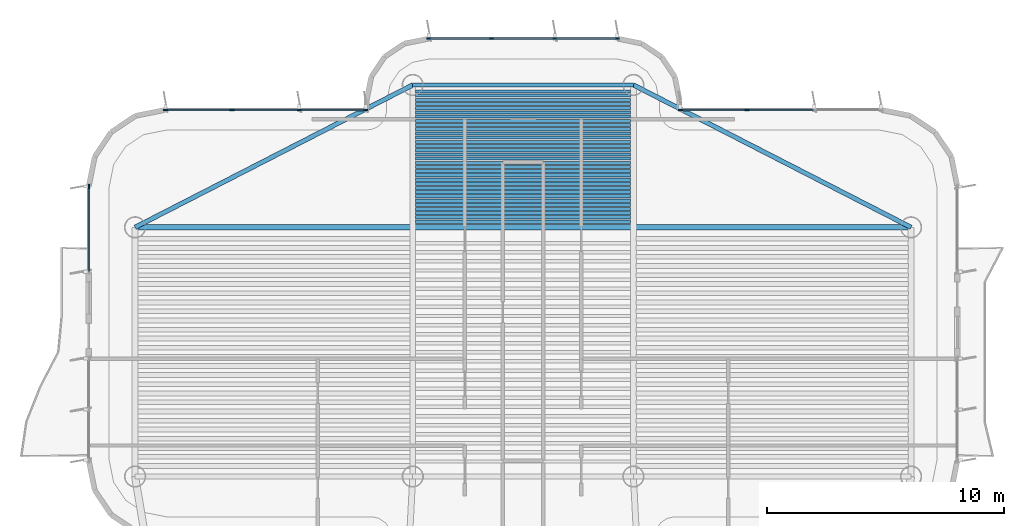
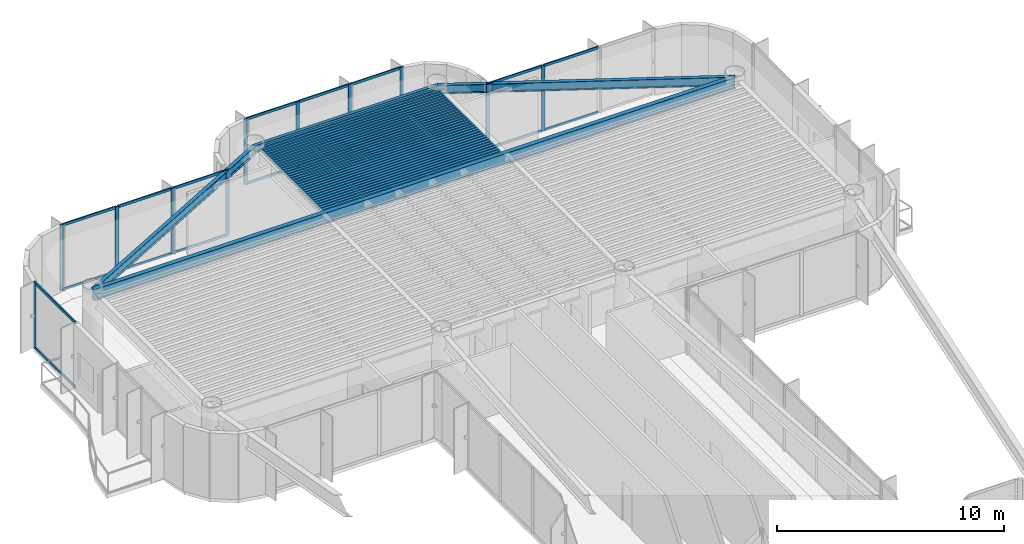
# One storey, part 7 of 15: 36 beams, 29 members, 4 elements without a shape of their own.
"""IFC4 building model written with IfcOpenShell, lengths in metres."""

from ifc_helpers import new_model, si_unit, direction, frame, origin, origin_2d, place, context, subcontext, project, spatial, rectangle, i_section, extrude, source, transform, mapped, material, layer, layer_set, material_profile, profile_set, type_object, element, aggregate, save


model = new_model("IFC4")

# Units and contexts
model_context = context("Model", 3, precision=1e-05, world=origin(), true_north=direction((0.0, 1.0)))
body_context = subcontext(model_context, "Body", "Model", "MODEL_VIEW")
ifc_project = project(units=[si_unit("LENGTHUNIT", "METRE"), si_unit("AREAUNIT", "SQUARE_METRE"), si_unit("VOLUMEUNIT", "CUBIC_METRE"), si_unit("PLANEANGLEUNIT", "RADIAN"), si_unit("MASSUNIT", "GRAM", prefix="KILO")], contexts=[model_context])

# Site, building, storey
site_placement = place(None, origin())
site = spatial("IfcSite", under=ifc_project, at=site_placement, CompositionType="ELEMENT")
building_placement = place(site_placement, origin())
building = spatial("IfcBuilding", under=site, at=building_placement, Name="Brelvock Crest Care Tower", CompositionType="ELEMENT")
storey_placement = place(building_placement, frame((0.0, 0.0, 241.919921875)))
storey = spatial("IfcBuildingStorey", under=building, at=storey_placement, Name="L61", CompositionType="ELEMENT", Elevation=241.919921875)

# Beams
ifc_material_1 = material(Name="Steel Grade 350", Category="steel")
ifc_material_profile_1 = material_profile(ifc_material_1, i_section(OverallWidth=0.177978515625, OverallDepth=0.406005859375, WebThickness=0.0078125, FlangeThickness=0.0126953125, FilletRadius=0.011474609375, at=origin_2d()), Name="410UB59.7")
ifc_profile_set_1 = profile_set([ifc_material_profile_1], Name="Steel Grade 350")
beam_type_1 = type_object("IfcBeamType", Name="BM-SP1", PredefinedType="SPANDREL", material=ifc_profile_set_1)
shared_shape_1 = source(origin(), body_context, "Body", "SweptSolid", [
    extrude(i_section(OverallWidth=0.177978515625, OverallDepth=0.406005859375, WebThickness=0.0078125, FlangeThickness=0.0126953125, FilletRadius=0.011474609375, at=origin_2d()), origin(), (0.0, 0.0, 1.0), 9.2998046875),
])
beam_1_placement = place(storey_placement, frame((31.35009765625, 60.449951171875, 3.3271484375), z_axis=(1.0, 0.0, 0.0), x_axis=(0.0, 1.0, 0.0)))
element("IfcBeam", 1, at=beam_1_placement, inside=storey, type_object=beam_type_1, Name="BM-TWR-L61-08", PredefinedType="SPANDREL", context=body_context, shape_type="MappedRepresentation", body=[
    mapped(shared_shape_1, transform((0.0, 0.0, 0.0), x_axis=(1.0, 0.0, 0.0), y_axis=(0.0, 1.0, 0.0), z_axis=(0.0, 0.0, 1.0), scale=1.0)),
])
ifc_material_profile_2 = material_profile(ifc_material_1, i_section(OverallWidth=0.14599609375, OverallDepth=0.256103515625, WebThickness=0.00634765625, FlangeThickness=0.010986328125, FilletRadius=0.0087890625, at=origin_2d()), Name="250UB37.3")
ifc_profile_set_2 = profile_set([ifc_material_profile_2], Name="Steel Grade 350")
beam_type_2 = type_object("IfcBeamType", Name="BM-J3", PredefinedType="JOIST", material=ifc_profile_set_2)
shared_shape_2 = source(origin(), body_context, "Body", "SweptSolid", [
    extrude(i_section(OverallWidth=0.14599609375, OverallDepth=0.256103515625, WebThickness=0.00634765625, FlangeThickness=0.010986328125, FilletRadius=0.0087890625, at=origin_2d()), origin(), (0.0, 0.0, 1.0), 9.06982421875),
])
for number, where, z_axis, x_axis, name in (
    (2, (31.465087890625, 54.68994140625, 3.402099609375), (1.0, 0.0, 0.0), (0.0, 1.0, 0.0), "BM-JN-L61-1"),
    (3, (31.465087890625, 54.866943359375, 3.402099609375), (1.0, 0.0, 0.0), (0.0, 1.0, 0.0), "BM-JN-L61-2"),
    (4, (31.465087890625, 55.0439453125, 3.402099609375), (1.0, 0.0, 0.0), (0.0, 1.0, 0.0), "BM-JN-L61-3"),
    (5, (31.465087890625, 55.220947265625, 3.402099609375), (1.0, 0.0, 0.0), (0.0, 1.0, 0.0), "BM-JN-L61-4"),
    (6, (31.465087890625, 55.39794921875, 3.402099609375), (1.0, 0.0, 0.0), (0.0, 1.0, 0.0), "BM-JN-L61-5"),
    (7, (31.465087890625, 55.574951171875, 3.402099609375), (1.0, 0.0, 0.0), (0.0, 1.0, 0.0), "BM-JN-L61-6"),
    (8, (31.465087890625, 55.751953125, 3.402099609375), (1.0, 0.0, 0.0), (0.0, 1.0, 0.0), "BM-JN-L61-7"),
    (9, (31.465087890625, 55.928955078125, 3.402099609375), (1.0, 0.0, 0.0), (0.0, 1.0, 0.0), "BM-JN-L61-8"),
    (10, (31.465087890625, 56.10595703125, 3.402099609375), (1.0, 0.0, 0.0), (0.0, 1.0, 0.0), "BM-JN-L61-9"),
    (11, (31.465087890625, 56.282958984375, 3.402099609375), (1.0, 0.0, 0.0), (0.0, 1.0, 0.0), "BM-JN-L61-10"),
    (12, (31.465087890625, 56.4599609375, 3.402099609375), (1.0, 0.0, 0.0), (0.0, 1.0, 0.0), "BM-JN-L61-11"),
    (13, (31.465087890625, 56.636962890625, 3.402099609375), (1.0, 0.0, 0.0), (0.0, 1.0, 0.0), "BM-JN-L61-12"),
    (14, (31.465087890625, 56.81396484375, 3.402099609375), (1.0, 0.0, 0.0), (0.0, 1.0, 0.0), "BM-JN-L61-13"),
):
    element("IfcBeam", number, at=place(storey_placement, frame(where, z_axis=z_axis, x_axis=x_axis)), inside=storey, type_object=beam_type_2, Name=name, PredefinedType="JOIST", context=body_context, shape_type="MappedRepresentation", body=[
        mapped(shared_shape_2, transform((0.0, 0.0, 0.0), x_axis=(1.0, 0.0, 0.0), y_axis=(0.0, 1.0, 0.0), z_axis=(0.0, 0.0, 1.0), scale=1.0)),
    ])
ifc_material_profile_3 = material_profile(ifc_material_1, i_section(OverallWidth=0.134033203125, OverallDepth=0.20703125, WebThickness=0.00634765625, FlangeThickness=0.009521484375, FilletRadius=0.0087890625, at=origin_2d()), Name="200UB29.8")
ifc_profile_set_3 = profile_set([ifc_material_profile_3], Name="Steel Grade 350")
beam_type_3 = type_object("IfcBeamType", Name="BM-J4", PredefinedType="JOIST", material=ifc_profile_set_3)
shared_shape_3 = source(origin(), body_context, "Body", "SweptSolid", [
    extrude(i_section(OverallWidth=0.134033203125, OverallDepth=0.20703125, WebThickness=0.00634765625, FlangeThickness=0.009521484375, FilletRadius=0.0087890625, at=origin_2d()), origin(), (0.0, 0.0, 1.0), 9.06982421875),
])
for number, where, z_axis, x_axis, name in (
    (15, (31.465087890625, 56.990966796875, 3.426513671875), (1.0, 0.0, 0.0), (0.0, 1.0, 0.0), "BM-JN-L61-14"),
    (16, (31.465087890625, 57.16796875, 3.426513671875), (1.0, 0.0, 0.0), (0.0, 1.0, 0.0), "BM-JN-L61-15"),
    (17, (31.465087890625, 57.344970703125, 3.426513671875), (1.0, 0.0, 0.0), (0.0, 1.0, 0.0), "BM-JN-L61-16"),
    (18, (31.465087890625, 57.52197265625, 3.426513671875), (1.0, 0.0, 0.0), (0.0, 1.0, 0.0), "BM-JN-L61-17"),
    (19, (31.465087890625, 57.698974609375, 3.426513671875), (1.0, 0.0, 0.0), (0.0, 1.0, 0.0), "BM-JN-L61-18"),
    (20, (31.465087890625, 57.8759765625, 3.426513671875), (1.0, 0.0, 0.0), (0.0, 1.0, 0.0), "BM-JN-L61-19"),
    (21, (31.465087890625, 58.052978515625, 3.426513671875), (1.0, 0.0, 0.0), (0.0, 1.0, 0.0), "BM-JN-L61-20"),
    (22, (31.465087890625, 58.22998046875, 3.426513671875), (1.0, 0.0, 0.0), (0.0, 1.0, 0.0), "BM-JN-L61-21"),
    (23, (31.465087890625, 58.406982421875, 3.426513671875), (1.0, 0.0, 0.0), (0.0, 1.0, 0.0), "BM-JN-L61-22"),
    (24, (31.465087890625, 58.583984375, 3.426513671875), (1.0, 0.0, 0.0), (0.0, 1.0, 0.0), "BM-JN-L61-23"),
    (25, (31.465087890625, 58.760986328125, 3.426513671875), (1.0, 0.0, 0.0), (0.0, 1.0, 0.0), "BM-JN-L61-24"),
    (26, (31.465087890625, 58.93798828125, 3.426513671875), (1.0, 0.0, 0.0), (0.0, 1.0, 0.0), "BM-JN-L61-25"),
    (27, (31.465087890625, 59.114990234375, 3.426513671875), (1.0, 0.0, 0.0), (0.0, 1.0, 0.0), "BM-JN-L61-26"),
    (28, (31.465087890625, 59.2919921875, 3.426513671875), (1.0, 0.0, 0.0), (0.0, 1.0, 0.0), "BM-JN-L61-27"),
    (29, (31.465087890625, 59.468994140625, 3.426513671875), (1.0, 0.0, 0.0), (0.0, 1.0, 0.0), "BM-JN-L61-28"),
    (30, (31.465087890625, 59.64599609375, 3.426513671875), (1.0, 0.0, 0.0), (0.0, 1.0, 0.0), "BM-JN-L61-29"),
    (31, (31.465087890625, 59.822998046875, 3.426513671875), (1.0, 0.0, 0.0), (0.0, 1.0, 0.0), "BM-JN-L61-30"),
    (32, (31.465087890625, 60.0, 3.426513671875), (1.0, 0.0, 0.0), (0.0, 1.0, 0.0), "BM-JN-L61-31"),
    (33, (31.465087890625, 60.177001953125, 3.426513671875), (1.0, 0.0, 0.0), (0.0, 1.0, 0.0), "BM-JN-L61-32"),
):
    element("IfcBeam", number, at=place(storey_placement, frame(where, z_axis=z_axis, x_axis=x_axis)), inside=storey, type_object=beam_type_3, Name=name, PredefinedType="JOIST", context=body_context, shape_type="MappedRepresentation", body=[
        mapped(shared_shape_3, transform((0.0, 0.0, 0.0), x_axis=(1.0, 0.0, 0.0), y_axis=(0.0, 1.0, 0.0), z_axis=(0.0, 0.0, 1.0), scale=1.0)),
    ])
ifc_material_profile_4 = material_profile(ifc_material_1, i_section(OverallWidth=0.19091796875, OverallDepth=0.4599609375, WebThickness=0.010009765625, FlangeThickness=0.01611328125, FilletRadius=0.011474609375, at=origin_2d()), Name="460UB82.1")
ifc_profile_set_4 = profile_set([ifc_material_profile_4], Name="Steel Grade 350")
beam_type_4 = type_object("IfcBeamType", Name="BM-SP2", PredefinedType="SPANDREL", material=ifc_profile_set_4)
shared_shape_4 = source(origin(), body_context, "Body", "SweptSolid", [
    extrude(i_section(OverallWidth=0.19091796875, OverallDepth=0.4599609375, WebThickness=0.010009765625, FlangeThickness=0.01611328125, FilletRadius=0.011474609375, at=origin_2d()), origin(), (0.0, 0.0, 1.0), 13.14892578125),
])
for number, where, z_axis, x_axis, name in (
    (34, (19.64990234375, 54.449951171875, 3.300048828125), (0.889820555736, 0.456310616346, 0.0), (-0.456310616346, 0.889820555736, 0.0), "BM-TWR-L61-06"),
    (35, (40.64990234375, 60.449951171875, 3.300048828125), (0.889820555736, -0.456310616346, 0.0), (0.456310616346, 0.889820555736, 0.0), "BM-TWR-L61-07"),
):
    element("IfcBeam", number, at=place(storey_placement, frame(where, z_axis=z_axis, x_axis=x_axis)), inside=storey, type_object=beam_type_4, Name=name, PredefinedType="SPANDREL", context=body_context, shape_type="MappedRepresentation", body=[
        mapped(shared_shape_4, transform((0.0, 0.0, 0.0), x_axis=(1.0, 0.0, 0.0), y_axis=(0.0, 1.0, 0.0), z_axis=(0.0, 0.0, 1.0), scale=1.0)),
    ])
ifc_material_profile_5 = material_profile(ifc_material_1, i_section(OverallWidth=0.22900390625, OverallDepth=0.612060546875, WebThickness=0.011962890625, FlangeThickness=0.01953125, FilletRadius=0.013916015625, at=origin_2d()), Name="610UB125")
ifc_profile_set_5 = profile_set([ifc_material_profile_5], Name="Steel Grade 350")
beam_type_5 = type_object("IfcBeamType", Name="BM-G1", PredefinedType="BEAM", material=ifc_profile_set_5)
shared_shape_5 = source(origin(), body_context, "Body", "SweptSolid", [
    extrude(i_section(OverallWidth=0.22900390625, OverallDepth=0.612060546875, WebThickness=0.011962890625, FlangeThickness=0.01953125, FilletRadius=0.013916015625, at=origin_2d()), origin(), (0.0, 0.0, 1.0), 32.7001953125),
])
beam_2_placement = place(storey_placement, frame((19.64990234375, 54.449951171875, 3.22412109375), z_axis=(1.0, 0.0, 0.0), x_axis=(0.0, 1.0, 0.0)))
element("IfcBeam", 36, at=beam_2_placement, inside=storey, type_object=beam_type_5, Name="BM-TWR-L61-11", PredefinedType="BEAM", context=body_context, shape_type="MappedRepresentation", body=[
    mapped(shared_shape_5, transform((0.0, 0.0, 0.0), x_axis=(1.0, 0.0, 0.0), y_axis=(0.0, 1.0, 0.0), z_axis=(0.0, 0.0, 1.0), scale=1.0)),
])

# Curtain wall, member
ifc_material_2 = material(Name="Dark Glass Double Glazed Low-E", Category="glass")
ifc_layer = layer(ifc_material_2, 0.239990234375, Name="CWS-5")
ifc_layer_set = layer_set([ifc_layer], Name="Dark Glass Double Glazed Low-E")
curtain_wall_type = type_object("IfcCurtainWallType", Name="CWS-5", PredefinedType="NOTDEFINED", material=ifc_layer_set)
curtain_wall_1_placement = place(storey_placement, origin())
curtain_wall_1 = element("IfcCurtainWall", 37, at=curtain_wall_1_placement, inside=storey, type_object=curtain_wall_type, Name="L61 Curtain Wall E17B", PredefinedType="NOTDEFINED")
ifc_material_3 = material(Name="Aluminium 6063-T6", Category="aluminium")
ifc_material_profile_6 = material_profile(ifc_material_3, rectangle(XDim=0.06005859375, YDim=0.179931640625, at=origin_2d()), Name="ALU60x180")
ifc_profile_set_6 = profile_set([ifc_material_profile_6], Name="Aluminium 6063-T6")
member_type_1 = type_object("IfcMemberType", Name="CWM-2", PredefinedType="MULLION", material=ifc_profile_set_6)
shared_shape_6 = source(origin(), body_context, "Body", "SweptSolid", [
    extrude(rectangle(XDim=0.06005859375, YDim=0.179931640625, at=origin_2d()), origin(), (0.0, 0.0, 1.0), 3.530029296875),
])
member_1_placement = place(storey_placement, frame((17.699951171875, 56.169921875, 0.0), z_axis=(0.0, 0.0, 1.0), x_axis=(-1.0, 0.0, 0.0)))
member_1 = element("IfcMember", 38, at=member_1_placement, type_object=member_type_1, Name="CW-5 mullion 2", PredefinedType="MULLION", context=body_context, shape_type="MappedRepresentation", body=[
    mapped(shared_shape_6, transform((0.0, 0.0, 0.0), x_axis=(1.0, 0.0, 0.0), y_axis=(0.0, 1.0, 0.0), z_axis=(0.0, 0.0, 1.0), scale=1.0)),
])

# Curtain wall, members
curtain_wall_2_placement = place(storey_placement, origin())
curtain_wall_2 = element("IfcCurtainWall", 39, at=curtain_wall_2_placement, inside=storey, type_object=curtain_wall_type, Name="L61 Curtain Wall E22", PredefinedType="NOTDEFINED")
member_2_placement = place(storey_placement, frame((20.929931640625, 59.39990234375, 0.0), z_axis=(0.0, 0.0, 1.0), x_axis=(0.0, 1.0, 0.0)))
member_2 = element("IfcMember", 40, at=member_2_placement, type_object=member_type_1, Name="CW-5 mullion 1", PredefinedType="MULLION", context=body_context, shape_type="MappedRepresentation", body=[
    mapped(shared_shape_6, transform((0.0, 0.0, 0.0), x_axis=(1.0, 0.0, 0.0), y_axis=(0.0, 1.0, 0.0), z_axis=(0.0, 0.0, 1.0), scale=1.0)),
])
member_3_placement = place(storey_placement, frame((23.7333984375, 59.39990234375, 0.0), z_axis=(0.0, 0.0, 1.0), x_axis=(0.0, 1.0, 0.0)))
member_3 = element("IfcMember", 41, at=member_3_placement, type_object=member_type_1, Name="CW-5 mullion 2", PredefinedType="MULLION", context=body_context, shape_type="MappedRepresentation", body=[
    mapped(shared_shape_6, transform((0.0, 0.0, 0.0), x_axis=(1.0, 0.0, 0.0), y_axis=(0.0, 1.0, 0.0), z_axis=(0.0, 0.0, 1.0), scale=1.0)),
])
member_4_placement = place(storey_placement, frame((26.566650390625, 59.39990234375, 0.0), z_axis=(0.0, 0.0, 1.0), x_axis=(0.0, 1.0, 0.0)))
member_4 = element("IfcMember", 42, at=member_4_placement, type_object=member_type_1, Name="CW-5 mullion 3", PredefinedType="MULLION", context=body_context, shape_type="MappedRepresentation", body=[
    mapped(shared_shape_6, transform((0.0, 0.0, 0.0), x_axis=(1.0, 0.0, 0.0), y_axis=(0.0, 1.0, 0.0), z_axis=(0.0, 0.0, 1.0), scale=1.0)),
])
member_5_placement = place(storey_placement, frame((29.3701171875, 59.39990234375, 0.0), z_axis=(0.0, 0.0, 1.0), x_axis=(0.0, 1.0, 0.0)))
member_5 = element("IfcMember", 43, at=member_5_placement, type_object=member_type_1, Name="CW-5 mullion 4", PredefinedType="MULLION", context=body_context, shape_type="MappedRepresentation", body=[
    mapped(shared_shape_6, transform((0.0, 0.0, 0.0), x_axis=(1.0, 0.0, 0.0), y_axis=(0.0, 1.0, 0.0), z_axis=(0.0, 0.0, 1.0), scale=1.0)),
])

curtain_wall_3_placement = place(storey_placement, origin())
curtain_wall_3 = element("IfcCurtainWall", 44, at=curtain_wall_3_placement, inside=storey, type_object=curtain_wall_type, Name="L61 Curtain Wall E28", PredefinedType="NOTDEFINED")
member_6_placement = place(storey_placement, frame((32.030029296875, 62.39990234375, 0.0), z_axis=(0.0, 0.0, 1.0), x_axis=(0.0, 1.0, 0.0)))
member_6 = element("IfcMember", 45, at=member_6_placement, type_object=member_type_1, Name="CW-5 mullion 1", PredefinedType="MULLION", context=body_context, shape_type="MappedRepresentation", body=[
    mapped(shared_shape_6, transform((0.0, 0.0, 0.0), x_axis=(1.0, 0.0, 0.0), y_axis=(0.0, 1.0, 0.0), z_axis=(0.0, 0.0, 1.0), scale=1.0)),
])
member_7_placement = place(storey_placement, frame((34.666748046875, 62.39990234375, 0.0), z_axis=(0.0, 0.0, 1.0), x_axis=(0.0, 1.0, 0.0)))
member_7 = element("IfcMember", 46, at=member_7_placement, type_object=member_type_1, Name="CW-5 mullion 2", PredefinedType="MULLION", context=body_context, shape_type="MappedRepresentation", body=[
    mapped(shared_shape_6, transform((0.0, 0.0, 0.0), x_axis=(1.0, 0.0, 0.0), y_axis=(0.0, 1.0, 0.0), z_axis=(0.0, 0.0, 1.0), scale=1.0)),
])
member_8_placement = place(storey_placement, frame((37.333251953125, 62.39990234375, 0.0), z_axis=(0.0, 0.0, 1.0), x_axis=(0.0, 1.0, 0.0)))
member_8 = element("IfcMember", 47, at=member_8_placement, type_object=member_type_1, Name="CW-5 mullion 3", PredefinedType="MULLION", context=body_context, shape_type="MappedRepresentation", body=[
    mapped(shared_shape_6, transform((0.0, 0.0, 0.0), x_axis=(1.0, 0.0, 0.0), y_axis=(0.0, 1.0, 0.0), z_axis=(0.0, 0.0, 1.0), scale=1.0)),
])
member_9_placement = place(storey_placement, frame((39.969970703125, 62.39990234375, 0.0), z_axis=(0.0, 0.0, 1.0), x_axis=(0.0, 1.0, 0.0)))
member_9 = element("IfcMember", 48, at=member_9_placement, type_object=member_type_1, Name="CW-5 mullion 4", PredefinedType="MULLION", context=body_context, shape_type="MappedRepresentation", body=[
    mapped(shared_shape_6, transform((0.0, 0.0, 0.0), x_axis=(1.0, 0.0, 0.0), y_axis=(0.0, 1.0, 0.0), z_axis=(0.0, 0.0, 1.0), scale=1.0)),
])

curtain_wall_4_placement = place(storey_placement, origin())
curtain_wall_4 = element("IfcCurtainWall", 49, at=curtain_wall_4_placement, inside=storey, type_object=curtain_wall_type, Name="L61 Curtain Wall E34", PredefinedType="NOTDEFINED")
member_10_placement = place(storey_placement, frame((42.6298828125, 59.39990234375, 0.0), z_axis=(0.0, 0.0, 1.0), x_axis=(0.0, 1.0, 0.0)))
member_10 = element("IfcMember", 50, at=member_10_placement, type_object=member_type_1, Name="CW-5 mullion 1", PredefinedType="MULLION", context=body_context, shape_type="MappedRepresentation", body=[
    mapped(shared_shape_6, transform((0.0, 0.0, 0.0), x_axis=(1.0, 0.0, 0.0), y_axis=(0.0, 1.0, 0.0), z_axis=(0.0, 0.0, 1.0), scale=1.0)),
])
member_11_placement = place(storey_placement, frame((45.433349609375, 59.39990234375, 0.0), z_axis=(0.0, 0.0, 1.0), x_axis=(0.0, 1.0, 0.0)))
member_11 = element("IfcMember", 51, at=member_11_placement, type_object=member_type_1, Name="CW-5 mullion 2", PredefinedType="MULLION", context=body_context, shape_type="MappedRepresentation", body=[
    mapped(shared_shape_6, transform((0.0, 0.0, 0.0), x_axis=(1.0, 0.0, 0.0), y_axis=(0.0, 1.0, 0.0), z_axis=(0.0, 0.0, 1.0), scale=1.0)),
])

# Member
ifc_material_profile_7 = material_profile(ifc_material_3, rectangle(XDim=0.06005859375, YDim=0.139892578125, at=origin_2d()), Name="ALU60x140")
ifc_profile_set_7 = profile_set([ifc_material_profile_7], Name="Aluminium 6063-T6")
member_type_2 = type_object("IfcMemberType", Name="CWT-2", PredefinedType="USERDEFINED", material=ifc_profile_set_7)
shared_shape_7 = source(origin(), body_context, "Body", "SweptSolid", [
    extrude(rectangle(XDim=0.06005859375, YDim=0.139892578125, at=origin_2d()), origin(), (0.0, 0.0, 1.0), 2.57666015625),
])
member_12_placement = place(storey_placement, frame((32.06005859375, 62.39990234375, 0.030029296875), z_axis=(1.0, 0.0, 0.0), x_axis=(0.0, 1.0, 0.0)))
member_12 = element("IfcMember", 52, at=member_12_placement, type_object=member_type_2, Name="CW-5 transom 1.1", ObjectType="TRANSOM", PredefinedType="USERDEFINED", context=body_context, shape_type="MappedRepresentation", body=[
    mapped(shared_shape_7, transform((0.0, 0.0, 0.0), x_axis=(1.0, 0.0, 0.0), y_axis=(0.0, 1.0, 0.0), z_axis=(0.0, 0.0, 1.0), scale=1.0)),
])

member_13_placement = place(storey_placement, frame((32.06005859375, 62.39990234375, 3.5), z_axis=(1.0, 0.0, 0.0), x_axis=(0.0, 1.0, 0.0)))
member_13 = element("IfcMember", 53, at=member_13_placement, type_object=member_type_2, Name="CW-5 transom 1.2", ObjectType="TRANSOM", PredefinedType="USERDEFINED", context=body_context, shape_type="MappedRepresentation", body=[
    mapped(shared_shape_7, transform((0.0, 0.0, 0.0), x_axis=(1.0, 0.0, 0.0), y_axis=(0.0, 1.0, 0.0), z_axis=(0.0, 0.0, 1.0), scale=1.0)),
])

member_14_placement = place(storey_placement, frame((37.36328125, 62.39990234375, 0.030029296875), z_axis=(1.0, 0.0, 0.0), x_axis=(0.0, 1.0, 0.0)))
member_14 = element("IfcMember", 54, at=member_14_placement, type_object=member_type_2, Name="CW-5 transom 3.1", ObjectType="TRANSOM", PredefinedType="USERDEFINED", context=body_context, shape_type="MappedRepresentation", body=[
    mapped(shared_shape_7, transform((0.0, 0.0, 0.0), x_axis=(1.0, 0.0, 0.0), y_axis=(0.0, 1.0, 0.0), z_axis=(0.0, 0.0, 1.0), scale=1.0)),
])

member_15_placement = place(storey_placement, frame((37.36328125, 62.39990234375, 3.5), z_axis=(1.0, 0.0, 0.0), x_axis=(0.0, 1.0, 0.0)))
member_15 = element("IfcMember", 55, at=member_15_placement, type_object=member_type_2, Name="CW-5 transom 3.2", ObjectType="TRANSOM", PredefinedType="USERDEFINED", context=body_context, shape_type="MappedRepresentation", body=[
    mapped(shared_shape_7, transform((0.0, 0.0, 0.0), x_axis=(1.0, 0.0, 0.0), y_axis=(0.0, 1.0, 0.0), z_axis=(0.0, 0.0, 1.0), scale=1.0)),
])

shared_shape_8 = source(origin(), body_context, "Body", "SweptSolid", [
    extrude(rectangle(XDim=0.06005859375, YDim=0.139892578125, at=origin_2d()), origin(), (0.0, 0.0, 1.0), 2.743408203125),
])
member_16_placement = place(storey_placement, frame((20.9599609375, 59.39990234375, 0.030029296875), z_axis=(1.0, 0.0, 0.0), x_axis=(0.0, 1.0, 0.0)))
member_16 = element("IfcMember", 56, at=member_16_placement, type_object=member_type_2, Name="CW-5 transom 1.1", ObjectType="TRANSOM", PredefinedType="USERDEFINED", context=body_context, shape_type="MappedRepresentation", body=[
    mapped(shared_shape_8, transform((0.0, 0.0, 0.0), x_axis=(1.0, 0.0, 0.0), y_axis=(0.0, 1.0, 0.0), z_axis=(0.0, 0.0, 1.0), scale=1.0)),
])

member_17_placement = place(storey_placement, frame((20.9599609375, 59.39990234375, 3.5), z_axis=(1.0, 0.0, 0.0), x_axis=(0.0, 1.0, 0.0)))
member_17 = element("IfcMember", 57, at=member_17_placement, type_object=member_type_2, Name="CW-5 transom 1.2", ObjectType="TRANSOM", PredefinedType="USERDEFINED", context=body_context, shape_type="MappedRepresentation", body=[
    mapped(shared_shape_8, transform((0.0, 0.0, 0.0), x_axis=(1.0, 0.0, 0.0), y_axis=(0.0, 1.0, 0.0), z_axis=(0.0, 0.0, 1.0), scale=1.0)),
])

member_18_placement = place(storey_placement, frame((26.5966796875, 59.39990234375, 0.030029296875), z_axis=(1.0, 0.0, 0.0), x_axis=(0.0, 1.0, 0.0)))
member_18 = element("IfcMember", 58, at=member_18_placement, type_object=member_type_2, Name="CW-5 transom 3.1", ObjectType="TRANSOM", PredefinedType="USERDEFINED", context=body_context, shape_type="MappedRepresentation", body=[
    mapped(shared_shape_8, transform((0.0, 0.0, 0.0), x_axis=(1.0, 0.0, 0.0), y_axis=(0.0, 1.0, 0.0), z_axis=(0.0, 0.0, 1.0), scale=1.0)),
])

member_19_placement = place(storey_placement, frame((26.5966796875, 59.39990234375, 3.5), z_axis=(1.0, 0.0, 0.0), x_axis=(0.0, 1.0, 0.0)))
member_19 = element("IfcMember", 59, at=member_19_placement, type_object=member_type_2, Name="CW-5 transom 3.2", ObjectType="TRANSOM", PredefinedType="USERDEFINED", context=body_context, shape_type="MappedRepresentation", body=[
    mapped(shared_shape_8, transform((0.0, 0.0, 0.0), x_axis=(1.0, 0.0, 0.0), y_axis=(0.0, 1.0, 0.0), z_axis=(0.0, 0.0, 1.0), scale=1.0)),
])

member_20_placement = place(storey_placement, frame((42.659912109375, 59.39990234375, 0.030029296875), z_axis=(1.0, 0.0, 0.0), x_axis=(0.0, 1.0, 0.0)))
member_20 = element("IfcMember", 60, at=member_20_placement, type_object=member_type_2, Name="CW-5 transom 1.1", ObjectType="TRANSOM", PredefinedType="USERDEFINED", context=body_context, shape_type="MappedRepresentation", body=[
    mapped(shared_shape_8, transform((0.0, 0.0, 0.0), x_axis=(1.0, 0.0, 0.0), y_axis=(0.0, 1.0, 0.0), z_axis=(0.0, 0.0, 1.0), scale=1.0)),
])

member_21_placement = place(storey_placement, frame((42.659912109375, 59.39990234375, 3.5), z_axis=(1.0, 0.0, 0.0), x_axis=(0.0, 1.0, 0.0)))
member_21 = element("IfcMember", 61, at=member_21_placement, type_object=member_type_2, Name="CW-5 transom 1.2", ObjectType="TRANSOM", PredefinedType="USERDEFINED", context=body_context, shape_type="MappedRepresentation", body=[
    mapped(shared_shape_8, transform((0.0, 0.0, 0.0), x_axis=(1.0, 0.0, 0.0), y_axis=(0.0, 1.0, 0.0), z_axis=(0.0, 0.0, 1.0), scale=1.0)),
])

shared_shape_9 = source(origin(), body_context, "Body", "SweptSolid", [
    extrude(rectangle(XDim=0.06005859375, YDim=0.139892578125, at=origin_2d()), origin(), (0.0, 0.0, 1.0), 2.773193359375),
])
member_22_placement = place(storey_placement, frame((23.763427734375, 59.39990234375, 0.030029296875), z_axis=(1.0, 0.0, 0.0), x_axis=(0.0, 1.0, 0.0)))
member_22 = element("IfcMember", 62, at=member_22_placement, type_object=member_type_2, Name="CW-5 transom 2.1", ObjectType="TRANSOM", PredefinedType="USERDEFINED", context=body_context, shape_type="MappedRepresentation", body=[
    mapped(shared_shape_9, transform((0.0, 0.0, 0.0), x_axis=(1.0, 0.0, 0.0), y_axis=(0.0, 1.0, 0.0), z_axis=(0.0, 0.0, 1.0), scale=1.0)),
])

member_23_placement = place(storey_placement, frame((23.763427734375, 59.39990234375, 3.5), z_axis=(1.0, 0.0, 0.0), x_axis=(0.0, 1.0, 0.0)))
member_23 = element("IfcMember", 63, at=member_23_placement, type_object=member_type_2, Name="CW-5 transom 2.2", ObjectType="TRANSOM", PredefinedType="USERDEFINED", context=body_context, shape_type="MappedRepresentation", body=[
    mapped(shared_shape_9, transform((0.0, 0.0, 0.0), x_axis=(1.0, 0.0, 0.0), y_axis=(0.0, 1.0, 0.0), z_axis=(0.0, 0.0, 1.0), scale=1.0)),
])

aggregate(curtain_wall_2, [member_2, member_3, member_4, member_5, member_16, member_17, member_22, member_23, member_18, member_19])

member_24_placement = place(storey_placement, frame((45.46337890625, 59.39990234375, 0.030029296875), z_axis=(1.0, 0.0, 0.0), x_axis=(0.0, 1.0, 0.0)))
member_24 = element("IfcMember", 64, at=member_24_placement, type_object=member_type_2, Name="CW-5 transom 2.1", ObjectType="TRANSOM", PredefinedType="USERDEFINED", context=body_context, shape_type="MappedRepresentation", body=[
    mapped(shared_shape_9, transform((0.0, 0.0, 0.0), x_axis=(1.0, 0.0, 0.0), y_axis=(0.0, 1.0, 0.0), z_axis=(0.0, 0.0, 1.0), scale=1.0)),
])

member_25_placement = place(storey_placement, frame((45.46337890625, 59.39990234375, 3.5), z_axis=(1.0, 0.0, 0.0), x_axis=(0.0, 1.0, 0.0)))
member_25 = element("IfcMember", 65, at=member_25_placement, type_object=member_type_2, Name="CW-5 transom 2.2", ObjectType="TRANSOM", PredefinedType="USERDEFINED", context=body_context, shape_type="MappedRepresentation", body=[
    mapped(shared_shape_9, transform((0.0, 0.0, 0.0), x_axis=(1.0, 0.0, 0.0), y_axis=(0.0, 1.0, 0.0), z_axis=(0.0, 0.0, 1.0), scale=1.0)),
])

aggregate(curtain_wall_4, [member_10, member_11, member_20, member_21, member_24, member_25])

shared_shape_10 = source(origin(), body_context, "Body", "SweptSolid", [
    extrude(rectangle(XDim=0.06005859375, YDim=0.139892578125, at=origin_2d()), origin(), (0.0, 0.0, 1.0), 2.6064453125),
])
member_26_placement = place(storey_placement, frame((34.69677734375, 62.39990234375, 0.030029296875), z_axis=(1.0, 0.0, 0.0), x_axis=(0.0, 1.0, 0.0)))
member_26 = element("IfcMember", 66, at=member_26_placement, type_object=member_type_2, Name="CW-5 transom 2.1", ObjectType="TRANSOM", PredefinedType="USERDEFINED", context=body_context, shape_type="MappedRepresentation", body=[
    mapped(shared_shape_10, transform((0.0, 0.0, 0.0), x_axis=(1.0, 0.0, 0.0), y_axis=(0.0, 1.0, 0.0), z_axis=(0.0, 0.0, 1.0), scale=1.0)),
])

member_27_placement = place(storey_placement, frame((34.69677734375, 62.39990234375, 3.5), z_axis=(1.0, 0.0, 0.0), x_axis=(0.0, 1.0, 0.0)))
member_27 = element("IfcMember", 67, at=member_27_placement, type_object=member_type_2, Name="CW-5 transom 2.2", ObjectType="TRANSOM", PredefinedType="USERDEFINED", context=body_context, shape_type="MappedRepresentation", body=[
    mapped(shared_shape_10, transform((0.0, 0.0, 0.0), x_axis=(1.0, 0.0, 0.0), y_axis=(0.0, 1.0, 0.0), z_axis=(0.0, 0.0, 1.0), scale=1.0)),
])

aggregate(curtain_wall_3, [member_6, member_7, member_8, member_9, member_12, member_13, member_26, member_27, member_14, member_15])

shared_shape_11 = source(origin(), body_context, "Body", "SweptSolid", [
    extrude(rectangle(XDim=0.06005859375, YDim=0.139892578125, at=origin_2d()), origin(), (0.0, 0.0, 1.0), 3.52978515625),
])
member_28_placement = place(storey_placement, frame((17.699951171875, 52.610107421875, 0.030029296875), z_axis=(0.0, 1.0, 0.0), x_axis=(-1.0, 0.0, 0.0)))
member_28 = element("IfcMember", 68, at=member_28_placement, type_object=member_type_2, Name="CW-5 transom 1.1", ObjectType="TRANSOM", PredefinedType="USERDEFINED", context=body_context, shape_type="MappedRepresentation", body=[
    mapped(shared_shape_11, transform((0.0, 0.0, 0.0), x_axis=(1.0, 0.0, 0.0), y_axis=(0.0, 1.0, 0.0), z_axis=(0.0, 0.0, 1.0), scale=1.0)),
])

member_29_placement = place(storey_placement, frame((17.699951171875, 52.610107421875, 3.5), z_axis=(0.0, 1.0, 0.0), x_axis=(-1.0, 0.0, 0.0)))
member_29 = element("IfcMember", 69, at=member_29_placement, type_object=member_type_2, Name="CW-5 transom 1.2", ObjectType="TRANSOM", PredefinedType="USERDEFINED", context=body_context, shape_type="MappedRepresentation", body=[
    mapped(shared_shape_11, transform((0.0, 0.0, 0.0), x_axis=(1.0, 0.0, 0.0), y_axis=(0.0, 1.0, 0.0), z_axis=(0.0, 0.0, 1.0), scale=1.0)),
])

aggregate(curtain_wall_1, [member_1, member_28, member_29])

save(model, "model.ifc")
